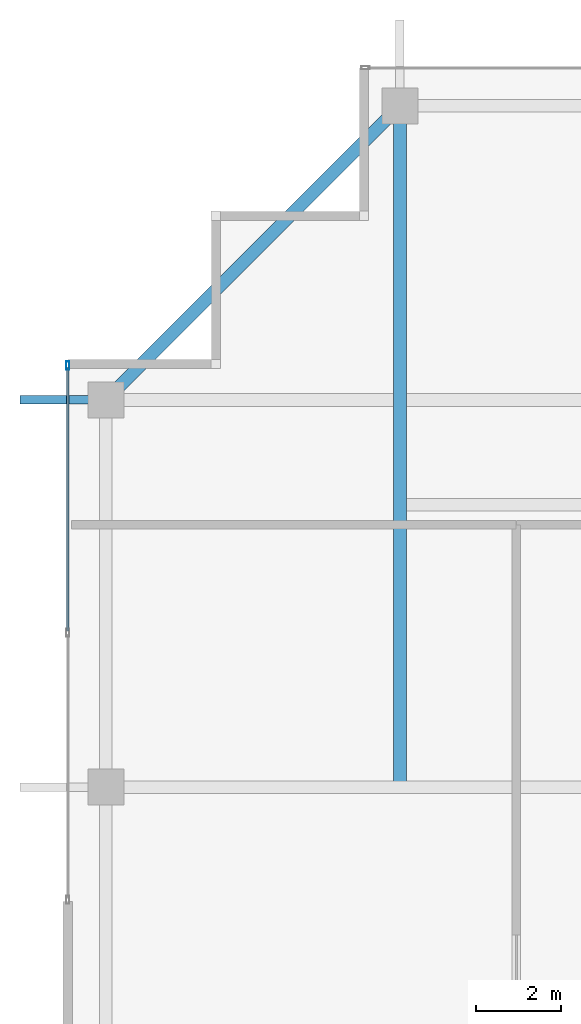
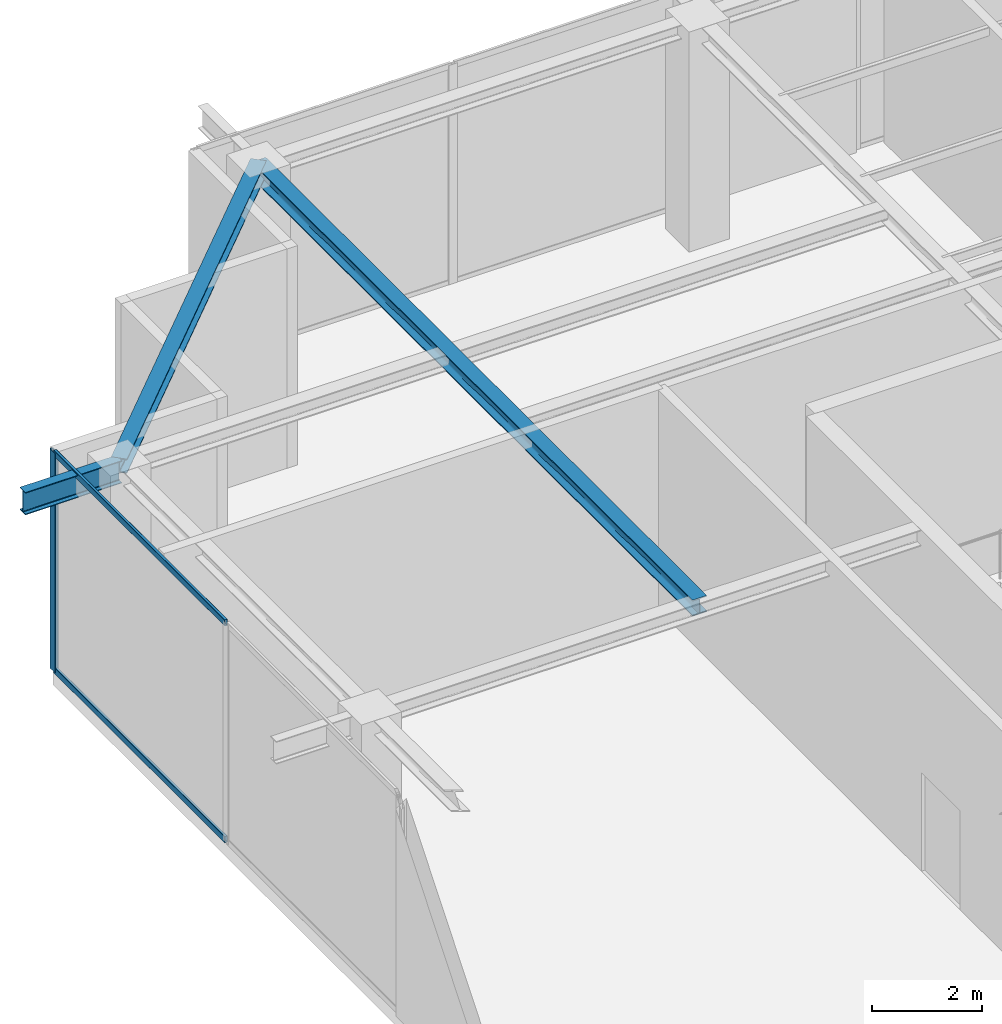
# One storey, part 17 of 27: 3 beams, 3 members, 1 element without a shape of its own.
"""IFC4 building model written with IfcOpenShell, lengths in metres."""

from ifc_helpers import new_model, si_unit, direction, frame, origin, origin_2d, place, context, subcontext, project, spatial, hollow_rectangle, i_section, extrude, source, transform, mapped, material, layer, layer_set, material_profile, profile_set, type_object, element, aggregate, save


model = new_model("IFC4")

# Units and contexts
model_context = context("Model", 3, precision=1e-05, world=origin(), true_north=direction((0.0, 1.0)))
body_context = subcontext(model_context, "Body", "Model", "MODEL_VIEW")
ifc_project = project(units=[si_unit("LENGTHUNIT", "METRE"), si_unit("AREAUNIT", "SQUARE_METRE"), si_unit("VOLUMEUNIT", "CUBIC_METRE"), si_unit("PLANEANGLEUNIT", "RADIAN"), si_unit("MASSUNIT", "GRAM", prefix="KILO")], contexts=[model_context])

# Site, building, storey
site_placement = place(None, origin())
site = spatial("IfcSite", under=ifc_project, at=site_placement, CompositionType="ELEMENT")
building_placement = place(site_placement, origin())
building = spatial("IfcBuilding", under=site, at=building_placement, Name="Serunith Strait Residences", CompositionType="ELEMENT")
storey_placement = place(building_placement, frame((0.0, 0.0, 365.75)))
storey = spatial("IfcBuildingStorey", under=building, at=storey_placement, Name="L89", CompositionType="ELEMENT", Elevation=365.75)

# Beams
ifc_material_1 = material(Name="Steel S355J2", Category="steel")
ifc_material_profile_1 = material_profile(ifc_material_1, i_section(OverallWidth=0.300048828125, OverallDepth=0.360107421875, WebThickness=0.012451171875, FlangeThickness=0.0224609375, FilletRadius=0.027099609375, at=origin_2d()), Name="HEB 360")
ifc_profile_set_1 = profile_set([ifc_material_profile_1], Name="Steel S355J2")
beam_type_1 = type_object("IfcBeamType", Name="BM-HEB360", PredefinedType="BEAM", material=ifc_profile_set_1)
shared_shape_1 = source(origin(), body_context, "Body", "SweptSolid", [
    extrude(i_section(OverallWidth=0.300048828125, OverallDepth=0.360107421875, WebThickness=0.012451171875, FlangeThickness=0.0224609375, FilletRadius=0.027099609375, at=origin_2d()), origin(), (0.0, 0.0, 1.0), 16.10009765625),
])
beam_1_placement = place(storey_placement, frame((18.64990234375, 29.39990234375, 4.717041015625), z_axis=(0.0, 1.0, 0.0), x_axis=(-1.0, 0.0, 0.0)))
element("IfcBeam", 1, at=beam_1_placement, inside=storey, type_object=beam_type_1, Name="L89 Orthogonal Corner Girder TC-N1", PredefinedType="BEAM", context=body_context, shape_type="MappedRepresentation", body=[
    mapped(shared_shape_1, transform((0.0, 0.0, 0.0), scale=1.0)),
])
ifc_material_profile_2 = material_profile(ifc_material_1, i_section(OverallWidth=0.300048828125, OverallDepth=0.320068359375, WebThickness=0.011474609375, FlangeThickness=0.0205078125, FilletRadius=0.027099609375, at=origin_2d()), Name="HEB 320")
ifc_profile_set_2 = profile_set([ifc_material_profile_2], Name="Steel S355J2")
beam_type_2 = type_object("IfcBeamType", Name="BM-HEB320", PredefinedType="BEAM", material=ifc_profile_set_2)
shared_shape_2 = source(origin(), body_context, "Body", "SweptSolid", [
    extrude(i_section(OverallWidth=0.300048828125, OverallDepth=0.320068359375, WebThickness=0.011474609375, FlangeThickness=0.0205078125, FilletRadius=0.027099609375, at=origin_2d()), origin(), (0.0, 0.0, 1.0), 9.82861328125),
])
beam_2_placement = place(storey_placement, frame((18.64990234375, 45.5, 4.737060546875), z_axis=(-0.707106781187, -0.707106781187, 0.0), x_axis=(0.707106781187, -0.707106781187, 0.0)))
element("IfcBeam", 2, at=beam_2_placement, inside=storey, type_object=beam_type_2, Name="L89 Perimeter Ring Beam 12", PredefinedType="BEAM", context=body_context, shape_type="MappedRepresentation", body=[
    mapped(shared_shape_2, transform((0.0, 0.0, 0.0), scale=1.0)),
])
ifc_material_profile_3 = material_profile(ifc_material_1, i_section(OverallWidth=0.199951171875, OverallDepth=0.5, WebThickness=0.01025390625, FlangeThickness=0.01611328125, FilletRadius=0.02099609375, at=origin_2d()), Name="IPE 500")
ifc_profile_set_3 = profile_set([ifc_material_profile_3], Name="Steel S355J2")
beam_type_3 = type_object("IfcBeamType", Name="BM-IPE500", PredefinedType="JOIST", material=ifc_profile_set_3)
shared_shape_3 = source(origin(), body_context, "Body", "SweptSolid", [
    extrude(i_section(OverallWidth=0.199951171875, OverallDepth=0.5, WebThickness=0.01025390625, FlangeThickness=0.01611328125, FilletRadius=0.02099609375, at=origin_2d()), origin(), (0.0, 0.0, 1.0), 2.030029296875),
])
beam_3_placement = place(storey_placement, frame((11.699951171875, 38.550048828125, 4.64697265625), z_axis=(-1.0, 0.0, 0.0), x_axis=(0.0, -1.0, 0.0)))
element("IfcBeam", 3, at=beam_3_placement, inside=storey, type_object=beam_type_3, Name="Crown Canopy Cantilever Rafter TC-W4", PredefinedType="JOIST", context=body_context, shape_type="MappedRepresentation", body=[
    mapped(shared_shape_3, transform((0.0, 0.0, 0.0), scale=1.0)),
])

# Curtain wall, members
ifc_material_2 = material(Name="Pale-Silver Anodised Aluminium", Category="aluminium")
ifc_layer = layer(ifc_material_2, 0.199951171875, Name="Pale-Silver Anodised Aluminium")
ifc_layer_set = layer_set([ifc_layer], Name="Pale-Silver Anodised Aluminium")
curtain_wall_type = type_object("IfcCurtainWallType", Name="CW-SYS7", PredefinedType="NOTDEFINED", material=ifc_layer_set)
curtain_wall_placement = place(storey_placement, origin())
curtain_wall = element("IfcCurtainWall", 4, at=curtain_wall_placement, inside=storey, type_object=curtain_wall_type, Name="L89 W Unitised Fritted Curtain Wall", PredefinedType="NOTDEFINED")
ifc_material_profile_4 = material_profile(ifc_material_2, hollow_rectangle(XDim=0.072021484375, YDim=0.195068359375, WallThickness=0.00390625, InnerFilletRadius=0.006103515625, OuterFilletRadius=0.010009765625, at=origin_2d()), Name="ALU 195x72x4")
ifc_profile_set_4 = profile_set([ifc_material_profile_4], Name="Pale-Silver Anodised Aluminium")
member_type_1 = type_object("IfcMemberType", Name="CW-SYS7-MULL", PredefinedType="MULLION", material=ifc_profile_set_4)
shared_shape_4 = source(origin(), body_context, "Body", "SweptSolid", [
    extrude(hollow_rectangle(XDim=0.072021484375, YDim=0.195068359375, WallThickness=0.00390625, InnerFilletRadius=0.006103515625, OuterFilletRadius=0.010009765625, at=origin_2d()), origin(), (0.0, 0.0, 1.0), 4.885009765625),
])
member_1_placement = place(storey_placement, frame((10.800048828125, 39.364013671875, 0.0), z_axis=(0.0, 0.0, 1.0), x_axis=(1.0, 0.0, 0.0)))
member_1 = element("IfcMember", 5, at=member_1_placement, type_object=member_type_1, Name="CW-7 mullion 1", PredefinedType="MULLION", context=body_context, shape_type="MappedRepresentation", body=[
    mapped(shared_shape_4, transform((0.0, 0.0, 0.0), scale=1.0)),
])
ifc_material_profile_5 = material_profile(ifc_material_2, hollow_rectangle(XDim=0.06005859375, YDim=0.139892578125, WallThickness=0.00341796875, InnerFilletRadius=0.00537109375, OuterFilletRadius=0.0087890625, at=origin_2d()), Name="ALU 140x60x3.5")
ifc_profile_set_5 = profile_set([ifc_material_profile_5], Name="Pale-Silver Anodised Aluminium")
member_type_2 = type_object("IfcMemberType", Name="CW-SYS7-TRAN", PredefinedType="USERDEFINED", material=ifc_profile_set_5)
shared_shape_5 = source(origin(), body_context, "Body", "SweptSolid", [
    extrude(hollow_rectangle(XDim=0.06005859375, YDim=0.139892578125, WallThickness=0.00341796875, InnerFilletRadius=0.00537109375, OuterFilletRadius=0.0087890625, at=origin_2d()), origin(), (0.0, 0.0, 1.0), 6.241943359375),
])
member_2_placement = place(storey_placement, frame((10.800048828125, 39.327880859375, 0.030029296875), z_axis=(0.0, -1.0, 0.0), x_axis=(1.0, 0.0, 0.0)))
member_2 = element("IfcMember", 6, at=member_2_placement, type_object=member_type_2, Name="CW-7 transom 1.1", ObjectType="TRANSOM", PredefinedType="USERDEFINED", context=body_context, shape_type="MappedRepresentation", body=[
    mapped(shared_shape_5, transform((0.0, 0.0, 0.0), scale=1.0)),
])
member_3_placement = place(storey_placement, frame((10.800048828125, 39.327880859375, 4.85498046875), z_axis=(0.0, -1.0, 0.0), x_axis=(1.0, 0.0, 0.0)))
member_3 = element("IfcMember", 7, at=member_3_placement, type_object=member_type_2, Name="CW-7 transom 1.2", ObjectType="TRANSOM", PredefinedType="USERDEFINED", context=body_context, shape_type="MappedRepresentation", body=[
    mapped(shared_shape_5, transform((0.0, 0.0, 0.0), scale=1.0)),
])
aggregate(curtain_wall, [member_1, member_2, member_3])

save(model, "model.ifc")
